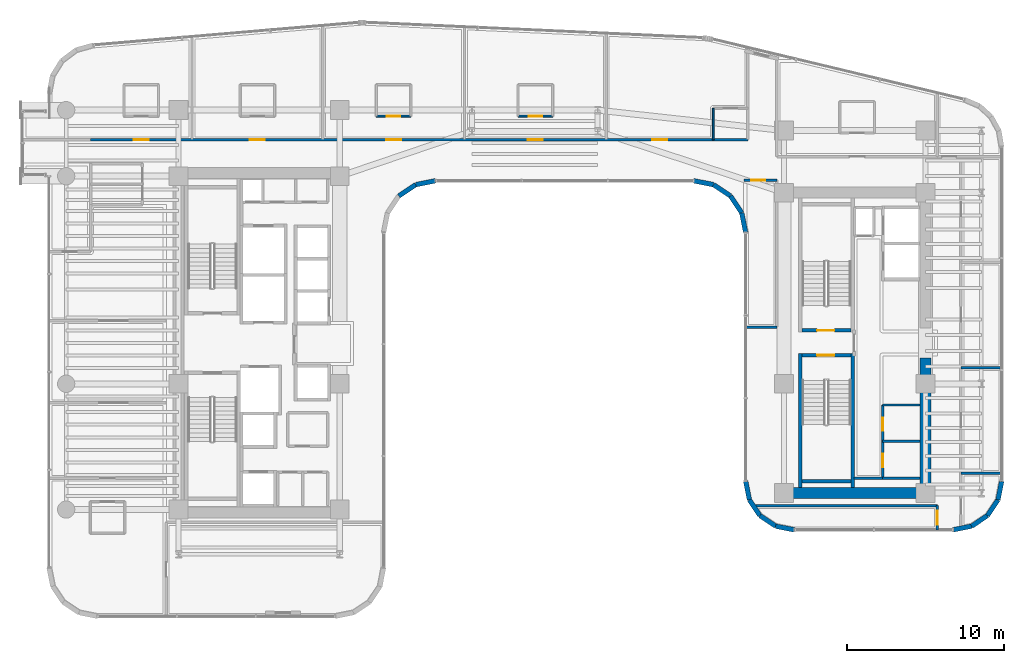
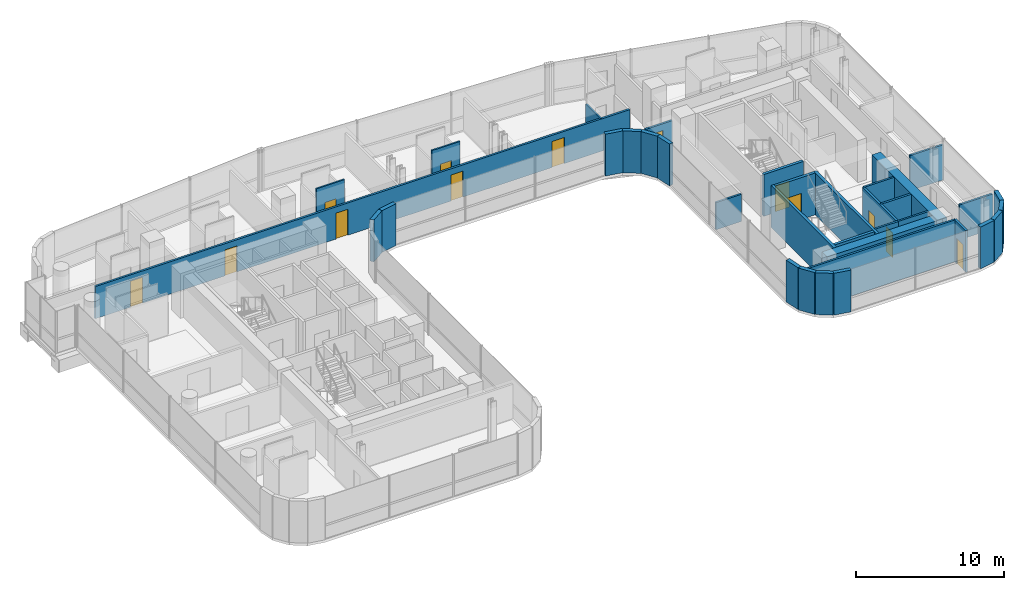
# One storey, part 29 of 35: 36 walls, 13 doors, 13 openings.
"""IFC4 building model written with IfcOpenShell, lengths in metres."""

from ifc_helpers import new_model, si_unit, direction, frame, frame_2d, origin, place, context, subcontext, project, spatial, rectangle, extrude, material, layer, layer_set, type_object, element, fill, save


model = new_model("IFC4")

# Units and contexts
model_context = context("Model", 3, precision=1e-05, world=origin(), true_north=direction((0.0, 1.0)))
body_context = subcontext(model_context, "Body", "Model", "MODEL_VIEW")
ifc_project = project(units=[si_unit("LENGTHUNIT", "METRE"), si_unit("AREAUNIT", "SQUARE_METRE"), si_unit("VOLUMEUNIT", "CUBIC_METRE"), si_unit("PLANEANGLEUNIT", "RADIAN"), si_unit("MASSUNIT", "GRAM", prefix="KILO")], contexts=[model_context])

# Site, building, storey
site_placement = place(None, origin())
site = spatial("IfcSite", under=ifc_project, at=site_placement, CompositionType="ELEMENT")
building_placement = place(site_placement, origin())
building = spatial("IfcBuilding", under=site, at=building_placement, Name="Valdorenza Pilgrim Sanctuary Tower", CompositionType="ELEMENT")
storey_placement = place(building_placement, frame((0.0, 0.0, 116.800048828125)))
storey = spatial("IfcBuildingStorey", under=building, at=storey_placement, Name="L29", CompositionType="ELEMENT", Elevation=116.800048828125)

# Wall
ifc_material_1 = material(Name="Acoustic twin-stud gypsum partition", Category="gypsum")
ifc_layer_1 = layer(ifc_material_1, 0.159912109375, Name="Acoustic twin-stud gypsum partition")
ifc_layer_set_1 = layer_set([ifc_layer_1], Name="Acoustic twin-stud gypsum partition")
wall_type_1 = type_object("IfcWallType", Name="WAL-COR-160", PredefinedType="PARTITIONING", material=ifc_layer_set_1)
wall_1_placement = place(storey_placement, frame((20.300048828125, -8.60009765625, 0.0), z_axis=(0.0, 0.0, 1.0), x_axis=(1.0, 0.0, 0.0)))
element("IfcWall", 1, at=wall_1_placement, inside=storey, type_object=wall_type_1, Name="L29 Core B Lift Hall South End Wall", PredefinedType="PARTITIONING", context=body_context, shape_type="SweptSolid", body=[
    extrude(rectangle(XDim=1.820068359375, YDim=0.159912109375, at=frame_2d((0.91015625, 0.0))), origin(), (0.0, 0.0, 1.0), 3.4599609375),
])

# Wall, openings, doors
wall_2_placement = place(storey_placement, frame((22.1201171875, -8.60009765625, 0.0), z_axis=(0.0, 0.0, 1.0), x_axis=(0.0, 1.0, 0.0)))
wall_2 = element("IfcWall", 2, at=wall_2_placement, inside=storey, type_object=wall_type_1, Name="L29 Core B Freed Shaft West Wall", PredefinedType="PARTITIONING", context=body_context, shape_type="SweptSolid", body=[
    extrude(rectangle(XDim=4.650146484375, YDim=0.159912109375, at=frame_2d((2.3251953125, 0.0))), origin(), (0.0, 0.0, 1.0), 3.4599609375),
])
opening_1_placement = place(wall_2_placement, frame((0.699951171875, 0.0, 0.0)))
opening_1 = element("IfcOpeningElement", 3, at=opening_1_placement, cuts=wall_2, Name="Opening DR-RS1", PredefinedType="OPENING", context=body_context, shape_type="SweptSolid", body=[
    extrude(rectangle(XDim=0.85009765625, YDim=2.050048828125, at=frame_2d((0.425048828125, 1.02490234375))), frame((0.0, 0.0947265625, 0.0), z_axis=(0.0, -1.0, 0.0), x_axis=(1.0, 0.0, 0.0)), (0.0, 0.0, 1.0), 0.189697265625),
])
opening_2_placement = place(wall_2_placement, frame((3.0, 0.0, 0.0)))
opening_2 = element("IfcOpeningElement", 4, at=opening_2_placement, cuts=wall_2, Name="Opening DR-RS1", PredefinedType="OPENING", context=body_context, shape_type="SweptSolid", body=[
    extrude(rectangle(XDim=0.85009765625, YDim=2.050048828125, at=frame_2d((0.425048828125, 1.02490234375))), frame((0.0, 0.0947265625, 0.0), z_axis=(0.0, -1.0, 0.0), x_axis=(1.0, 0.0, 0.0)), (0.0, 0.0, 1.0), 0.189697265625),
])
ifc_material_2 = material(Name="Painted galvanized steel", Category="steel")
door_type_1 = type_object("IfcDoorType", Name="DR-RSR-850", OperationType="NOTDEFINED", PredefinedType="DOOR", material=ifc_material_2)
door_1_placement = place(opening_1_placement, origin())
door_1 = element("IfcDoor", 5, at=door_1_placement, inside=storey, type_object=door_type_1, Name="L29 East Core Housekeeping Store Door", OperationType="SINGLE_SWING_LEFT", OverallHeight=2.050048828125, OverallWidth=0.85009765625, PredefinedType="DOOR", context=body_context, shape_type="SweptSolid", body=[
    extrude(rectangle(XDim=0.85009765625, YDim=2.050048828125, at=frame_2d((0.425048828125, 1.02490234375))), frame((0.0, 0.02490234375, 0.0), z_axis=(0.0, -1.0, 0.0), x_axis=(1.0, 0.0, 0.0)), (0.0, 0.0, 1.0), 0.050048828125),
])
fill(opening_1, door_1)
door_2_placement = place(opening_2_placement, origin())
door_2 = element("IfcDoor", 6, at=door_2_placement, inside=storey, type_object=door_type_1, Name="L29 East Core Tea Pantry Door", OperationType="SINGLE_SWING_RIGHT", OverallHeight=2.050048828125, OverallWidth=0.85009765625, PredefinedType="DOOR", context=body_context, shape_type="SweptSolid", body=[
    extrude(rectangle(XDim=0.85009765625, YDim=2.050048828125, at=frame_2d((0.425048828125, 1.02490234375))), frame((0.0, 0.02490234375, 0.0), z_axis=(0.0, -1.0, 0.0), x_axis=(1.0, 0.0, 0.0)), (0.0, 0.0, 1.0), 0.050048828125),
])
fill(opening_2, door_2)

# Wall
wall_3_placement = place(storey_placement, frame((22.1201171875, -6.25, 0.0), z_axis=(0.0, 0.0, 1.0), x_axis=(1.0, 0.0, 0.0)))
element("IfcWall", 7, at=wall_3_placement, inside=storey, type_object=wall_type_1, Name="L29 Core B Freed Split", PredefinedType="PARTITIONING", context=body_context, shape_type="SweptSolid", body=[
    extrude(rectangle(XDim=2.3798828125, YDim=0.159912109375, at=frame_2d((1.18994140625, 0.0))), origin(), (0.0, 0.0, 1.0), 3.4599609375),
])

# Wall, openings, doors
wall_4_placement = place(storey_placement, frame((-28.25, 12.919921875, 0.0), z_axis=(0.0, 0.0, 1.0), x_axis=(1.0, 0.0, 0.0)))
wall_4 = element("IfcWall", 8, at=wall_4_placement, inside=storey, type_object=wall_type_1, Name="L29 North Corridor Wall", PredefinedType="PARTITIONING", context=body_context, shape_type="SweptSolid", body=[
    extrude(rectangle(XDim=41.800048828125, YDim=0.159912109375, at=frame_2d((20.89990234375, 0.0))), origin(), (0.0, 0.0, 1.0), 2.666015625),
])
opening_3_placement = place(wall_4_placement, frame((2.75, 0.0, 0.0)))
opening_3 = element("IfcOpeningElement", 9, at=opening_3_placement, cuts=wall_4, Name="Opening DR-UN1", PredefinedType="OPENING", context=body_context, shape_type="SweptSolid", body=[
    extrude(rectangle(XDim=0.949951171875, YDim=2.14990234375, at=frame_2d((0.47509765625, 1.074951171875))), frame((0.0, 0.0947265625, 0.0), z_axis=(0.0, -1.0, 0.0), x_axis=(1.0, 0.0, 0.0)), (0.0, 0.0, 1.0), 0.189697265625),
])
opening_4_placement = place(wall_4_placement, frame((10.135009765625, 0.0, 0.0)))
opening_4 = element("IfcOpeningElement", 10, at=opening_4_placement, cuts=wall_4, Name="Opening DR-UN1", PredefinedType="OPENING", context=body_context, shape_type="SweptSolid", body=[
    extrude(rectangle(XDim=0.949951171875, YDim=2.14990234375, at=frame_2d((0.47509765625, 1.074951171875))), frame((0.0, 0.0947265625, 0.0), z_axis=(0.0, -1.0, 0.0), x_axis=(1.0, 0.0, 0.0)), (0.0, 0.0, 1.0), 0.189697265625),
])
opening_5_placement = place(wall_4_placement, frame((18.800048828125, 0.0, 0.0)))
opening_5 = element("IfcOpeningElement", 11, at=opening_5_placement, cuts=wall_4, Name="Opening DR-UN1", PredefinedType="OPENING", context=body_context, shape_type="SweptSolid", body=[
    extrude(rectangle(XDim=0.949951171875, YDim=2.14990234375, at=frame_2d((0.47509765625, 1.074951171875))), frame((0.0, 0.0947265625, 0.0), z_axis=(0.0, -1.0, 0.0), x_axis=(1.0, 0.0, 0.0)), (0.0, 0.0, 1.0), 0.189697265625),
])
opening_6_placement = place(wall_4_placement, frame((27.81005859375, 0.0, 0.0)))
opening_6 = element("IfcOpeningElement", 12, at=opening_6_placement, cuts=wall_4, Name="Opening DR-UN1", PredefinedType="OPENING", context=body_context, shape_type="SweptSolid", body=[
    extrude(rectangle(XDim=0.949951171875, YDim=2.14990234375, at=frame_2d((0.47509765625, 1.074951171875))), frame((0.0, 0.0947265625, 0.0), z_axis=(0.0, -1.0, 0.0), x_axis=(1.0, 0.0, 0.0)), (0.0, 0.0, 1.0), 0.189697265625),
])
opening_7_placement = place(wall_4_placement, frame((35.719970703125, 0.0, 0.0)))
opening_7 = element("IfcOpeningElement", 13, at=opening_7_placement, cuts=wall_4, Name="Opening DR-UN1", PredefinedType="OPENING", context=body_context, shape_type="SweptSolid", body=[
    extrude(rectangle(XDim=0.949951171875, YDim=2.14990234375, at=frame_2d((0.47509765625, 1.074951171875))), frame((0.0, 0.0947265625, 0.0), z_axis=(0.0, -1.0, 0.0), x_axis=(1.0, 0.0, 0.0)), (0.0, 0.0, 1.0), 0.189697265625),
])
ifc_material_3 = material(Name="Solid-core European oak timber", Category="wood")
door_type_2 = type_object("IfcDoorType", Name="DR-UNIT-950", OperationType="NOTDEFINED", PredefinedType="DOOR", material=ifc_material_3)
door_3_placement = place(opening_3_placement, frame((0.949951171875, 0.0, 0.0), z_axis=(0.0, 0.0, 1.0), x_axis=(-1.0, 0.0, 0.0)))
door_3 = element("IfcDoor", 14, at=door_3_placement, inside=storey, type_object=door_type_2, Name="L29 North Guest Room L29-N1 Entrance Door", OperationType="SINGLE_SWING_LEFT", OverallHeight=2.14990234375, OverallWidth=0.949951171875, PredefinedType="DOOR", context=body_context, shape_type="SweptSolid", body=[
    extrude(rectangle(XDim=0.949951171875, YDim=2.14990234375, at=frame_2d((0.47509765625, 1.074951171875))), frame((0.0, 0.02490234375, 0.0), z_axis=(0.0, -1.0, 0.0), x_axis=(1.0, 0.0, 0.0)), (0.0, 0.0, 1.0), 0.050048828125),
])
fill(opening_3, door_3)
door_4_placement = place(opening_4_placement, frame((0.949951171875, 0.0, 0.0), z_axis=(0.0, 0.0, 1.0), x_axis=(-1.0, 0.0, 0.0)))
door_4 = element("IfcDoor", 15, at=door_4_placement, inside=storey, type_object=door_type_2, Name="L29 North Guest Room L29-N2 Entrance Door", OperationType="SINGLE_SWING_LEFT", OverallHeight=2.14990234375, OverallWidth=0.949951171875, PredefinedType="DOOR", context=body_context, shape_type="SweptSolid", body=[
    extrude(rectangle(XDim=0.949951171875, YDim=2.14990234375, at=frame_2d((0.47509765625, 1.074951171875))), frame((0.0, 0.02490234375, 0.0), z_axis=(0.0, -1.0, 0.0), x_axis=(1.0, 0.0, 0.0)), (0.0, 0.0, 1.0), 0.050048828125),
])
fill(opening_4, door_4)
door_5_placement = place(opening_5_placement, frame((0.949951171875, 0.0, 0.0), z_axis=(0.0, 0.0, 1.0), x_axis=(-1.0, 0.0, 0.0)))
door_5 = element("IfcDoor", 16, at=door_5_placement, inside=storey, type_object=door_type_2, Name="L29 North Guest Room L29-N3 Entrance Door", OperationType="SINGLE_SWING_LEFT", OverallHeight=2.14990234375, OverallWidth=0.949951171875, PredefinedType="DOOR", context=body_context, shape_type="SweptSolid", body=[
    extrude(rectangle(XDim=0.949951171875, YDim=2.14990234375, at=frame_2d((0.47509765625, 1.074951171875))), frame((0.0, 0.02490234375, 0.0), z_axis=(0.0, -1.0, 0.0), x_axis=(1.0, 0.0, 0.0)), (0.0, 0.0, 1.0), 0.050048828125),
])
fill(opening_5, door_5)
door_6_placement = place(opening_6_placement, frame((0.949951171875, 0.0, 0.0), z_axis=(0.0, 0.0, 1.0), x_axis=(-1.0, 0.0, 0.0)))
door_6 = element("IfcDoor", 17, at=door_6_placement, inside=storey, type_object=door_type_2, Name="L29 North Guest Room L29-N4 Entrance Door", OperationType="SINGLE_SWING_LEFT", OverallHeight=2.14990234375, OverallWidth=0.949951171875, PredefinedType="DOOR", context=body_context, shape_type="SweptSolid", body=[
    extrude(rectangle(XDim=0.949951171875, YDim=2.14990234375, at=frame_2d((0.47509765625, 1.074951171875))), frame((0.0, 0.02490234375, 0.0), z_axis=(0.0, -1.0, 0.0), x_axis=(1.0, 0.0, 0.0)), (0.0, 0.0, 1.0), 0.050048828125),
])
fill(opening_6, door_6)
door_7_placement = place(opening_7_placement, frame((0.949951171875, 0.0, 0.0), z_axis=(0.0, 0.0, 1.0), x_axis=(-1.0, 0.0, 0.0)))
door_7 = element("IfcDoor", 18, at=door_7_placement, inside=storey, type_object=door_type_2, Name="L29 North Guest Room L29-N5 Entrance Door", OperationType="SINGLE_SWING_LEFT", OverallHeight=2.14990234375, OverallWidth=0.949951171875, PredefinedType="DOOR", context=body_context, shape_type="SweptSolid", body=[
    extrude(rectangle(XDim=0.949951171875, YDim=2.14990234375, at=frame_2d((0.47509765625, 1.074951171875))), frame((0.0, 0.02490234375, 0.0), z_axis=(0.0, -1.0, 0.0), x_axis=(1.0, 0.0, 0.0)), (0.0, 0.0, 1.0), 0.050048828125),
])
fill(opening_7, door_7)

# Wall, opening, door
wall_5_placement = place(storey_placement, frame((25.60009765625, -11.889892578125, 0.0), z_axis=(0.0, 0.0, 1.0), x_axis=(0.0, 1.0, 0.0)))
wall_5 = element("IfcWall", 19, at=wall_5_placement, inside=storey, type_object=wall_type_1, Name="L29 Wing B South-East Wall", PredefinedType="PARTITIONING", context=body_context, shape_type="SweptSolid", body=[
    extrude(rectangle(XDim=1.539794921875, YDim=0.159912109375, at=frame_2d((0.77001953125, 0.0))), origin(), (0.0, 0.0, 1.0), 3.4599609375),
])
opening_8_placement = place(wall_5_placement, frame((0.320068359375, 0.0, 0.0)))
opening_8 = element("IfcOpeningElement", 20, at=opening_8_placement, cuts=wall_5, Name="Opening DR-RM1", PredefinedType="OPENING", context=body_context, shape_type="SweptSolid", body=[
    extrude(rectangle(XDim=0.89990234375, YDim=2.10009765625, at=frame_2d((0.449951171875, 1.050048828125))), frame((0.0, 0.0947265625, 0.0), z_axis=(0.0, -1.0, 0.0), x_axis=(1.0, 0.0, 0.0)), (0.0, 0.0, 1.0), 0.189697265625),
])
door_type_3 = type_object("IfcDoorType", Name="DR-ROOM-900", OperationType="NOTDEFINED", PredefinedType="DOOR", material=ifc_material_3)
door_8_placement = place(opening_8_placement, frame((0.89990234375, 0.0, 0.0), z_axis=(0.0, 0.0, 1.0), x_axis=(-1.0, 0.0, 0.0)))
door_8 = element("IfcDoor", 21, at=door_8_placement, inside=storey, type_object=door_type_3, Name="L29 Sacred Manuscript Archive L29-BS Door", OperationType="SINGLE_SWING_LEFT", OverallHeight=2.10009765625, OverallWidth=0.89990234375, PredefinedType="DOOR", context=body_context, shape_type="SweptSolid", body=[
    extrude(rectangle(XDim=0.89990234375, YDim=2.10009765625, at=frame_2d((0.449951171875, 1.050048828125))), frame((0.0, 0.02490234375, 0.0), z_axis=(0.0, -1.0, 0.0), x_axis=(1.0, 0.0, 0.0)), (0.0, 0.0, 1.0), 0.050048828125),
])
fill(opening_8, door_8)

# Wall
wall_6_placement = place(storey_placement, frame((14.043701171875, -10.35009765625, 0.0), z_axis=(0.0, 0.0, 1.0), x_axis=(1.0, 0.0, 0.0)))
element("IfcWall", 22, at=wall_6_placement, inside=storey, type_object=wall_type_1, Name="L29 Wing B South Closure", PredefinedType="PARTITIONING", context=body_context, shape_type="SweptSolid", body=[
    extrude(rectangle(XDim=11.556396484375, YDim=0.159912109375, at=frame_2d((5.7783203125, 0.0))), origin(), (0.0, 0.0, 1.0), 3.4599609375),
])

# Wall, opening, door
wall_7_placement = place(storey_placement, frame((13.300048828125, 10.35009765625, 0.0), z_axis=(0.0, 0.0, 1.0), x_axis=(1.0, 0.0, 0.0)))
wall_7 = element("IfcWall", 23, at=wall_7_placement, inside=storey, type_object=wall_type_1, Name="L29 Courtyard Overlook North Wall", PredefinedType="PARTITIONING", context=body_context, shape_type="SweptSolid", body=[
    extrude(rectangle(XDim=2.099853515625, YDim=0.159912109375, at=frame_2d((1.0498046875, 0.0))), origin(), (0.0, 0.0, 1.0), 2.666015625),
])
opening_9_placement = place(wall_7_placement, frame((0.449951171875, 0.0, 0.0)))
opening_9 = element("IfcOpeningElement", 24, at=opening_9_placement, cuts=wall_7, Name="Opening DR-RM1", PredefinedType="OPENING", context=body_context, shape_type="SweptSolid", body=[
    extrude(rectangle(XDim=0.89990234375, YDim=2.10009765625, at=frame_2d((0.449951171875, 1.050048828125))), frame((0.0, 0.0947265625, 0.0), z_axis=(0.0, -1.0, 0.0), x_axis=(1.0, 0.0, 0.0)), (0.0, 0.0, 1.0), 0.189697265625),
])
door_9_placement = place(opening_9_placement, origin())
door_9 = element("IfcDoor", 25, at=door_9_placement, inside=storey, type_object=door_type_3, Name="L29 Courtyard Overlook Salon Door", OperationType="SINGLE_SWING_LEFT", OverallHeight=2.10009765625, OverallWidth=0.89990234375, PredefinedType="DOOR", context=body_context, shape_type="SweptSolid", body=[
    extrude(rectangle(XDim=0.89990234375, YDim=2.10009765625, at=frame_2d((0.449951171875, 1.050048828125))), frame((0.0, 0.02490234375, 0.0), z_axis=(0.0, -1.0, 0.0), x_axis=(1.0, 0.0, 0.0)), (0.0, 0.0, 1.0), 0.050048828125),
])
fill(opening_9, door_9)

# Walls
wall_8_placement = place(storey_placement, frame((13.409912109375, 1.0, 0.0), z_axis=(0.0, 0.0, 1.0), x_axis=(1.0, 0.0, 0.0)))
element("IfcWall", 26, at=wall_8_placement, inside=storey, type_object=wall_type_1, Name="L29 Courtyard Overlook South Wall", PredefinedType="PARTITIONING", context=body_context, shape_type="SweptSolid", body=[
    extrude(rectangle(XDim=1.989990234375, YDim=0.159912109375, at=frame_2d((0.9951171875, 0.0))), origin(), (0.0, 0.0, 1.0), 2.244873046875),
])
ifc_material_4 = material(Name="Concrete C60/75", Category="concrete")
ifc_layer_2 = layer(ifc_material_4, 0.699951171875, Name="Concrete C60/75")
ifc_layer_set_2 = layer_set([ifc_layer_2], Name="Concrete C60/75")
wall_type_2 = type_object("IfcWallType", Name="WAL-COR-700", PredefinedType="SHEAR", material=ifc_layer_set_2)
wall_9_placement = place(storey_placement, frame((24.85009765625, -9.89990234375, 0.0), z_axis=(0.0, 0.0, 1.0), x_axis=(0.0, 1.0, 0.0)))
element("IfcWall", 27, at=wall_9_placement, inside=storey, type_object=wall_type_2, Name="L29 Split Core B Shear Wall ES", PredefinedType="SHEAR", context=body_context, shape_type="SweptSolid", body=[
    extrude(rectangle(XDim=8.949951171875, YDim=0.699951171875, at=frame_2d((4.47509765625, 0.0))), origin(), (0.0, 0.0, 1.0), 3.4599609375),
])
wall_10_placement = place(storey_placement, frame((15.85009765625, -9.550048828125, 0.0), z_axis=(0.0, 0.0, 1.0), x_axis=(1.0, 0.0, 0.0)))
element("IfcWall", 28, at=wall_10_placement, inside=storey, type_object=wall_type_2, Name="L29 Split Core B Shear Wall S", PredefinedType="SHEAR", context=body_context, shape_type="SweptSolid", body=[
    extrude(rectangle(XDim=9.0, YDim=0.699951171875, at=frame_2d((4.5, 0.0))), origin(), (0.0, 0.0, 1.0), 3.4599609375),
])
ifc_material_5 = material(Name="Honed travertine limestone", Category="masonry")
ifc_layer_3 = layer(ifc_material_5, 0.300048828125, Name="Honed travertine limestone")
ifc_layer_set_3 = layer_set([ifc_layer_3], Name="Honed travertine limestone")
wall_type_3 = type_object("IfcWallType", Name="WAL-EXT-300", PredefinedType="SOLIDWALL", material=ifc_layer_set_3)
wall_11_placement = place(storey_placement, frame((29.68994140625, -8.789306640625, 0.0), z_axis=(0.0, 0.0, 1.0), x_axis=(-0.194996050505, -0.980804027463, 0.0)))
element("IfcWall", 29, at=wall_11_placement, inside=storey, type_object=wall_type_3, Name="L29 Rounded Wind-Corner Stone Pier 22", PredefinedType="SOLIDWALL", context=body_context, shape_type="SweptSolid", body=[
    extrude(rectangle(XDim=1.2158203125, YDim=0.300048828125, at=frame_2d((0.60791015625, 0.0))), origin(), (0.0, 0.0, 1.0), 3.4599609375),
])
for number, where, z_axis, x_axis, name in (
    (30, (29.452880859375, -9.981689453125, 0.0), (0.0, 0.0, 1.0), (-0.555635100982, -0.831426265255, 0.0), "L29 Rounded Wind-Corner Stone Pier 23"),
    (31, (28.783447265625, -10.9833984375, 0.0), (0.0, 0.0, 1.0), (-0.831426265255, -0.555635100982, 0.0), "L29 Rounded Wind-Corner Stone Pier 24"),
):
    element("IfcWall", number, at=place(storey_placement, frame(where, z_axis=z_axis, x_axis=x_axis)), inside=storey, type_object=wall_type_3, Name=name, PredefinedType="SOLIDWALL", context=body_context, shape_type="SweptSolid", body=[
        extrude(rectangle(XDim=1.204833984375, YDim=0.300048828125, at=frame_2d((0.6025390625, 0.0))), origin(), (0.0, 0.0, 1.0), 3.4599609375),
    ])
wall_12_placement = place(storey_placement, frame((27.78173828125, -11.65283203125, 0.0), z_axis=(0.0, 0.0, 1.0), x_axis=(-0.980811661072, -0.194957650543, 0.0)))
element("IfcWall", 32, at=wall_12_placement, inside=storey, type_object=wall_type_3, Name="L29 Rounded Wind-Corner Stone Pier 25", PredefinedType="SOLIDWALL", context=body_context, shape_type="SweptSolid", body=[
    extrude(rectangle(XDim=1.216064453125, YDim=0.300048828125, at=frame_2d((0.60791015625, 0.0))), origin(), (0.0, 0.0, 1.0), 3.4599609375),
])
wall_13_placement = place(storey_placement, frame((16.5107421875, -11.889892578125, 0.0), z_axis=(0.0, 0.0, 1.0), x_axis=(-0.980804027463, 0.194996050505, 0.0)))
element("IfcWall", 33, at=wall_13_placement, inside=storey, type_object=wall_type_3, Name="L29 Rounded Wind-Corner Stone Pier 27", PredefinedType="SOLIDWALL", context=body_context, shape_type="SweptSolid", body=[
    extrude(rectangle(XDim=1.2158203125, YDim=0.300048828125, at=frame_2d((0.60791015625, 0.0))), origin(), (0.0, 0.0, 1.0), 3.4599609375),
])
for number, where, z_axis, x_axis, name in (
    (34, (15.318359375, -11.65283203125, 0.0), (0.0, 0.0, 1.0), (-0.831426265255, 0.555635100982, 0.0), "L29 Rounded Wind-Corner Stone Pier 28"),
    (35, (14.316650390625, -10.9833984375, 0.0), (0.0, 0.0, 1.0), (-0.555635100982, 0.831426265255, 0.0), "L29 Rounded Wind-Corner Stone Pier 29"),
):
    element("IfcWall", number, at=place(storey_placement, frame(where, z_axis=z_axis, x_axis=x_axis)), inside=storey, type_object=wall_type_3, Name=name, PredefinedType="SOLIDWALL", context=body_context, shape_type="SweptSolid", body=[
        extrude(rectangle(XDim=1.204833984375, YDim=0.300048828125, at=frame_2d((0.6025390625, 0.0))), origin(), (0.0, 0.0, 1.0), 3.4599609375),
    ])
wall_14_placement = place(storey_placement, frame((13.647216796875, -9.981689453125, 0.0), z_axis=(0.0, 0.0, 1.0), x_axis=(-0.195189223115, 0.980765602568, 0.0)))
element("IfcWall", 36, at=wall_14_placement, inside=storey, type_object=wall_type_3, Name="L29 Rounded Wind-Corner Stone Pier 30", PredefinedType="SOLIDWALL", context=body_context, shape_type="SweptSolid", body=[
    extrude(rectangle(XDim=1.2158203125, YDim=0.300048828125, at=frame_2d((0.60791015625, 0.0))), origin(), (0.0, 0.0, 1.0), 3.4599609375),
])
wall_15_placement = place(storey_placement, frame((13.409912109375, 7.0107421875, 0.0), z_axis=(0.0, 0.0, 1.0), x_axis=(-0.195090163074, 0.980785312019, 0.0)))
element("IfcWall", 37, at=wall_15_placement, inside=storey, type_object=wall_type_3, Name="L29 Rounded Wind-Corner Stone Pier 32", PredefinedType="SOLIDWALL", context=body_context, shape_type="SweptSolid", body=[
    extrude(rectangle(XDim=1.281494140625, YDim=0.300048828125, at=frame_2d((0.640625, 0.0))), origin(), (0.0, 0.0, 1.0), 3.4599609375),
])
for number, where, z_axis, x_axis, name in (
    (38, (13.159912109375, 8.267578125, 0.0), (0.0, 0.0, 1.0), (-0.555615398575, 0.831439431869, 0.0), "L29 Rounded Wind-Corner Stone Pier 33"),
    (39, (12.44189453125, 9.342041015625, 0.0), (0.0, 0.0, 1.0), (-0.831439431869, 0.555615398575, 0.0), "L29 Rounded Wind-Corner Stone Pier 34"),
):
    element("IfcWall", number, at=place(storey_placement, frame(where, z_axis=z_axis, x_axis=x_axis)), inside=storey, type_object=wall_type_3, Name=name, PredefinedType="SOLIDWALL", context=body_context, shape_type="SweptSolid", body=[
        extrude(rectangle(XDim=1.292236328125, YDim=0.300048828125, at=frame_2d((0.64599609375, 0.0))), origin(), (0.0, 0.0, 1.0), 3.4599609375),
    ])
for number, where, z_axis, x_axis, name in (
    (40, (11.367431640625, 10.06005859375, 0.0), (0.0, 0.0, 1.0), (-0.980778058848, 0.195126623715, 0.0), "L29 Rounded Wind-Corner Stone Pier 35"),
    (41, (-6.310791015625, 10.31005859375, 0.0), (0.0, 0.0, 1.0), (-0.980778058848, -0.195126623715, 0.0), "L29 Rounded Wind-Corner Stone Pier 37"),
):
    element("IfcWall", number, at=place(storey_placement, frame(where, z_axis=z_axis, x_axis=x_axis)), inside=storey, type_object=wall_type_3, Name=name, PredefinedType="SOLIDWALL", context=body_context, shape_type="SweptSolid", body=[
        extrude(rectangle(XDim=1.28125, YDim=0.300048828125, at=frame_2d((0.640625, 0.0))), origin(), (0.0, 0.0, 1.0), 3.4599609375),
    ])
wall_16_placement = place(storey_placement, frame((-7.5673828125, 10.06005859375, 0.0), z_axis=(0.0, 0.0, 1.0), x_axis=(-0.831497739511, -0.555528135371, 0.0)))
element("IfcWall", 42, at=wall_16_placement, inside=storey, type_object=wall_type_3, Name="L29 Rounded Wind-Corner Stone Pier 38", PredefinedType="SOLIDWALL", context=body_context, shape_type="SweptSolid", body=[
    extrude(rectangle(XDim=1.29248046875, YDim=0.300048828125, at=frame_2d((0.646240234375, 0.0))), origin(), (0.0, 0.0, 1.0), 3.4599609375),
])

# Wall, opening, door
ifc_material_6 = material(Name="Moisture-resistant gypsum partition", Category="gypsum")
ifc_layer_4 = layer(ifc_material_6, 0.1201171875, Name="Moisture-resistant gypsum partition")
ifc_layer_set_4 = layer_set([ifc_layer_4], Name="Moisture-resistant gypsum partition")
wall_type_4 = type_object("IfcWallType", Name="WAL-INT-120", PredefinedType="PARTITIONING", material=ifc_layer_set_4)
wall_17_placement = place(storey_placement, frame((-10.074951171875, 14.419921875, 0.0), z_axis=(0.0, 0.0, 1.0), x_axis=(1.0, 0.0, 0.0)))
wall_17 = element("IfcWall", 43, at=wall_17_placement, inside=storey, type_object=wall_type_4, Name="L29 North Guest Room L29-N3 En-suite Door Wall", PredefinedType="PARTITIONING", context=body_context, shape_type="SweptSolid", body=[
    extrude(rectangle(XDim=2.199951171875, YDim=0.1201171875, at=frame_2d((1.10009765625, 0.0))), origin(), (0.0, 0.0, 1.0), 3.4599609375),
])
opening_10_placement = place(wall_17_placement, frame((0.675048828125, 0.0, 0.0)))
opening_10 = element("IfcOpeningElement", 44, at=opening_10_placement, cuts=wall_17, Name="Opening DR-WC1", PredefinedType="OPENING", context=body_context, shape_type="SweptSolid", body=[
    extrude(rectangle(XDim=0.85009765625, YDim=2.10009765625, at=frame_2d((0.425048828125, 1.050048828125))), frame((0.0, 0.074951171875, 0.0), z_axis=(0.0, -1.0, 0.0), x_axis=(1.0, 0.0, 0.0)), (0.0, 0.0, 1.0), 0.14990234375),
])
ifc_material_7 = material(Name="Moisture-resistant lacquered timber", Category="wood")
door_type_4 = type_object("IfcDoorType", Name="DR-BATH-850", OperationType="NOTDEFINED", PredefinedType="DOOR", material=ifc_material_7)
door_10_placement = place(opening_10_placement, origin())
door_10 = element("IfcDoor", 45, at=door_10_placement, inside=storey, type_object=door_type_4, Name="L29 North Guest Room L29-N3 En-suite Bathroom Door", OperationType="SINGLE_SWING_RIGHT", OverallHeight=2.10009765625, OverallWidth=0.85009765625, PredefinedType="DOOR", context=body_context, shape_type="SweptSolid", body=[
    extrude(rectangle(XDim=0.85009765625, YDim=2.10009765625, at=frame_2d((0.425048828125, 1.050048828125))), frame((0.0, 0.02490234375, 0.0), z_axis=(0.0, -1.0, 0.0), x_axis=(1.0, 0.0, 0.0)), (0.0, 0.0, 1.0), 0.050048828125),
])
fill(opening_10, door_10)

wall_18_placement = place(storey_placement, frame((-1.06494140625, 14.419921875, 0.0), z_axis=(0.0, 0.0, 1.0), x_axis=(1.0, 0.0, 0.0)))
wall_18 = element("IfcWall", 46, at=wall_18_placement, inside=storey, type_object=wall_type_4, Name="L29 North Guest Room L29-N4 En-suite Door Wall", PredefinedType="PARTITIONING", context=body_context, shape_type="SweptSolid", body=[
    extrude(rectangle(XDim=2.199951171875, YDim=0.1201171875, at=frame_2d((1.10009765625, 0.0))), origin(), (0.0, 0.0, 1.0), 3.4599609375),
])
opening_11_placement = place(wall_18_placement, frame((0.675048828125, 0.0, 0.0)))
opening_11 = element("IfcOpeningElement", 47, at=opening_11_placement, cuts=wall_18, Name="Opening DR-WC1", PredefinedType="OPENING", context=body_context, shape_type="SweptSolid", body=[
    extrude(rectangle(XDim=0.85009765625, YDim=2.10009765625, at=frame_2d((0.425048828125, 1.050048828125))), frame((0.0, 0.074951171875, 0.0), z_axis=(0.0, -1.0, 0.0), x_axis=(1.0, 0.0, 0.0)), (0.0, 0.0, 1.0), 0.14990234375),
])
door_11_placement = place(opening_11_placement, origin())
door_11 = element("IfcDoor", 48, at=door_11_placement, inside=storey, type_object=door_type_4, Name="L29 North Guest Room L29-N4 En-suite Bathroom Door", OperationType="SINGLE_SWING_RIGHT", OverallHeight=2.10009765625, OverallWidth=0.85009765625, PredefinedType="DOOR", context=body_context, shape_type="SweptSolid", body=[
    extrude(rectangle(XDim=0.85009765625, YDim=2.10009765625, at=frame_2d((0.425048828125, 1.050048828125))), frame((0.0, 0.02490234375, 0.0), z_axis=(0.0, -1.0, 0.0), x_axis=(1.0, 0.0, 0.0)), (0.0, 0.0, 1.0), 0.050048828125),
])
fill(opening_11, door_11)

# Wall
wall_19_placement = place(storey_placement, frame((11.35009765625, 12.919921875, 0.0), z_axis=(0.0, 0.0, 1.0), x_axis=(0.0, 1.0, 0.0)))
element("IfcWall", 49, at=wall_19_placement, inside=storey, type_object=wall_type_4, Name="L29 North Guest Room L29-N5 En-suite West Wall", PredefinedType="PARTITIONING", context=body_context, shape_type="SweptSolid", body=[
    extrude(rectangle(XDim=2.0, YDim=0.1201171875, at=frame_2d((1.0, 0.0))), origin(), (0.0, 0.0, 1.0), 2.666015625),
])

# Wall, opening, door
ifc_material_8 = material(Name="Concrete C40/50", Category="concrete")
ifc_layer_5 = layer(ifc_material_8, 0.219970703125, Name="Concrete C40/50")
ifc_layer_set_5 = layer_set([ifc_layer_5], Name="Concrete C40/50")
wall_type_5 = type_object("IfcWallType", Name="WAL-STR-SHF-220", PredefinedType="SHEAR", material=ifc_layer_set_5)
wall_20_placement = place(storey_placement, frame((17.0, 0.7900390625, 0.0), z_axis=(0.0, 0.0, 1.0), x_axis=(1.0, 0.0, 0.0)))
wall_20 = element("IfcWall", 50, at=wall_20_placement, inside=storey, type_object=wall_type_5, Name="L29 ST-B1 Structural Stairwell Wall S", PredefinedType="SHEAR", context=body_context, shape_type="SweptSolid", body=[
    extrude(rectangle(XDim=3.110107421875, YDim=0.219970703125, at=frame_2d((1.55517578125, 0.0))), origin(), (0.0, 0.0, 1.0), 3.4599609375),
])
opening_12_placement = place(wall_20_placement, frame((0.949951171875, 0.0, 0.0)))
opening_12 = element("IfcOpeningElement", 51, at=opening_12_placement, cuts=wall_20, Name="Opening DR-ST1", PredefinedType="OPENING", context=body_context, shape_type="SweptSolid", body=[
    extrude(rectangle(XDim=1.10009765625, YDim=2.14990234375, at=frame_2d((0.550048828125, 1.074951171875))), frame((0.0, 0.125, 0.0), z_axis=(0.0, -1.0, 0.0), x_axis=(1.0, 0.0, 0.0)), (0.0, 0.0, 1.0), 0.249755859375),
])
door_type_5 = type_object("IfcDoorType", Name="DR-STAIR-1100", OperationType="NOTDEFINED", PredefinedType="DOOR", material=ifc_material_2)
door_12_placement = place(opening_12_placement, origin())
door_12 = element("IfcDoor", 52, at=door_12_placement, inside=storey, type_object=door_type_5, Name="L29 Exit Stair ST-B1 Door", OperationType="SINGLE_SWING_RIGHT", OverallHeight=2.14990234375, OverallWidth=1.10009765625, PredefinedType="DOOR", context=body_context, shape_type="SweptSolid", body=[
    extrude(rectangle(XDim=1.10009765625, YDim=2.14990234375, at=frame_2d((0.550048828125, 1.074951171875))), frame((0.0, 0.02490234375, 0.0), z_axis=(0.0, -1.0, 0.0), x_axis=(1.0, 0.0, 0.0)), (0.0, 0.0, 1.0), 0.050048828125),
])
fill(opening_12, door_12)

# Walls
for number, where, z_axis, x_axis, name in (
    (53, (16.889892578125, -9.199951171875, 0.0), (0.0, 0.0, 1.0), (0.0, 1.0, 0.0), "L29 ST-B2 Structural Stairwell Wall W"),
    (54, (20.219970703125, -9.199951171875, 0.0), (0.0, 0.0, 1.0), (0.0, 1.0, 0.0), "L29 ST-B2 Structural Stairwell Wall E"),
):
    element("IfcWall", number, at=place(storey_placement, frame(where, z_axis=z_axis, x_axis=x_axis)), inside=storey, type_object=wall_type_5, Name=name, PredefinedType="SHEAR", context=body_context, shape_type="SweptSolid", body=[
        extrude(rectangle(XDim=8.52001953125, YDim=0.219970703125, at=frame_2d((4.260009765625, 0.0))), origin(), (0.0, 0.0, 1.0), 3.4599609375),
    ])
wall_21_placement = place(storey_placement, frame((17.0, -8.81005859375, 0.0), z_axis=(0.0, 0.0, 1.0), x_axis=(1.0, 0.0, 0.0)))
element("IfcWall", 55, at=wall_21_placement, inside=storey, type_object=wall_type_5, Name="L29 ST-B2 Structural Stairwell Wall S", PredefinedType="SHEAR", context=body_context, shape_type="SweptSolid", body=[
    extrude(rectangle(XDim=3.110107421875, YDim=0.219970703125, at=frame_2d((1.55517578125, 0.0))), origin(), (0.0, 0.0, 1.0), 3.4599609375),
])

# Wall, opening, door
wall_22_placement = place(storey_placement, frame((17.0, -0.7900390625, 0.0), z_axis=(0.0, 0.0, 1.0), x_axis=(1.0, 0.0, 0.0)))
wall_22 = element("IfcWall", 56, at=wall_22_placement, inside=storey, type_object=wall_type_5, Name="L29 ST-B2 Structural Stairwell Wall N", PredefinedType="SHEAR", context=body_context, shape_type="SweptSolid", body=[
    extrude(rectangle(XDim=3.110107421875, YDim=0.219970703125, at=frame_2d((1.55517578125, 0.0))), origin(), (0.0, 0.0, 1.0), 3.4599609375),
])
opening_13_placement = place(wall_22_placement, frame((0.949951171875, 0.0, 0.0)))
opening_13 = element("IfcOpeningElement", 57, at=opening_13_placement, cuts=wall_22, Name="Opening DR-ST1", PredefinedType="OPENING", context=body_context, shape_type="SweptSolid", body=[
    extrude(rectangle(XDim=1.10009765625, YDim=2.14990234375, at=frame_2d((0.550048828125, 1.074951171875))), frame((0.0, 0.125, 0.0), z_axis=(0.0, -1.0, 0.0), x_axis=(1.0, 0.0, 0.0)), (0.0, 0.0, 1.0), 0.249755859375),
])
door_13_placement = place(opening_13_placement, frame((1.10009765625, 0.0, 0.0), z_axis=(0.0, 0.0, 1.0), x_axis=(-1.0, 0.0, 0.0)))
door_13 = element("IfcDoor", 58, at=door_13_placement, inside=storey, type_object=door_type_5, Name="L29 Exit Stair ST-B2 Door", OperationType="SINGLE_SWING_LEFT", OverallHeight=2.14990234375, OverallWidth=1.10009765625, PredefinedType="DOOR", context=body_context, shape_type="SweptSolid", body=[
    extrude(rectangle(XDim=1.10009765625, YDim=2.14990234375, at=frame_2d((0.550048828125, 1.074951171875))), frame((0.0, 0.02490234375, 0.0), z_axis=(0.0, -1.0, 0.0), x_axis=(1.0, 0.0, 0.0)), (0.0, 0.0, 1.0), 0.050048828125),
])
fill(opening_13, door_13)

# Walls
ifc_layer_6 = layer(ifc_material_1, 0.14990234375, Name="Acoustic twin-stud gypsum partition")
ifc_layer_set_6 = layer_set([ifc_layer_6], Name="Acoustic twin-stud gypsum partition")
wall_type_6 = type_object("IfcWallType", Name="WAL-UNT-150", PredefinedType="PARTITIONING", material=ifc_layer_set_6)
for number, where, z_axis, x_axis, name in (
    (59, (22.1201171875, -3.949951171875, 0.0), (0.0, 0.0, 1.0), (1.0, 0.0, 0.0), "L29 Core B Freed Shaft North Wall"),
    (60, (22.1201171875, -8.60009765625, 0.0), (0.0, 0.0, 1.0), (1.0, 0.0, 0.0), "L29 Core B Freed Shaft South Wall"),
):
    element("IfcWall", number, at=place(storey_placement, frame(where, z_axis=z_axis, x_axis=x_axis)), inside=storey, type_object=wall_type_6, Name=name, PredefinedType="PARTITIONING", context=body_context, shape_type="SweptSolid", body=[
        extrude(rectangle(XDim=2.3798828125, YDim=0.14990234375, at=frame_2d((1.18994140625, 0.0))), origin(), (0.0, 0.0, 1.0), 3.4599609375),
    ])
for number, where, z_axis, x_axis, name in (
    (61, (27.10009765625, -8.287109375, 0.0), (0.0, 0.0, 1.0), (1.0, 0.0, 0.0), "L29 East Wing Guest Demising 1"),
    (62, (27.10009765625, -1.574951171875, 0.0), (0.0, 0.0, 1.0), (1.0, 0.0, 0.0), "L29 East Wing Guest Demising 2"),
):
    element("IfcWall", number, at=place(storey_placement, frame(where, z_axis=z_axis, x_axis=x_axis)), inside=storey, type_object=wall_type_6, Name=name, PredefinedType="PARTITIONING", context=body_context, shape_type="SweptSolid", body=[
        extrude(rectangle(XDim=2.58984375, YDim=0.14990234375, at=frame_2d((1.294921875, 0.0))), origin(), (0.0, 0.0, 1.0), 2.89599609375),
    ])

save(model, "model.ifc")
